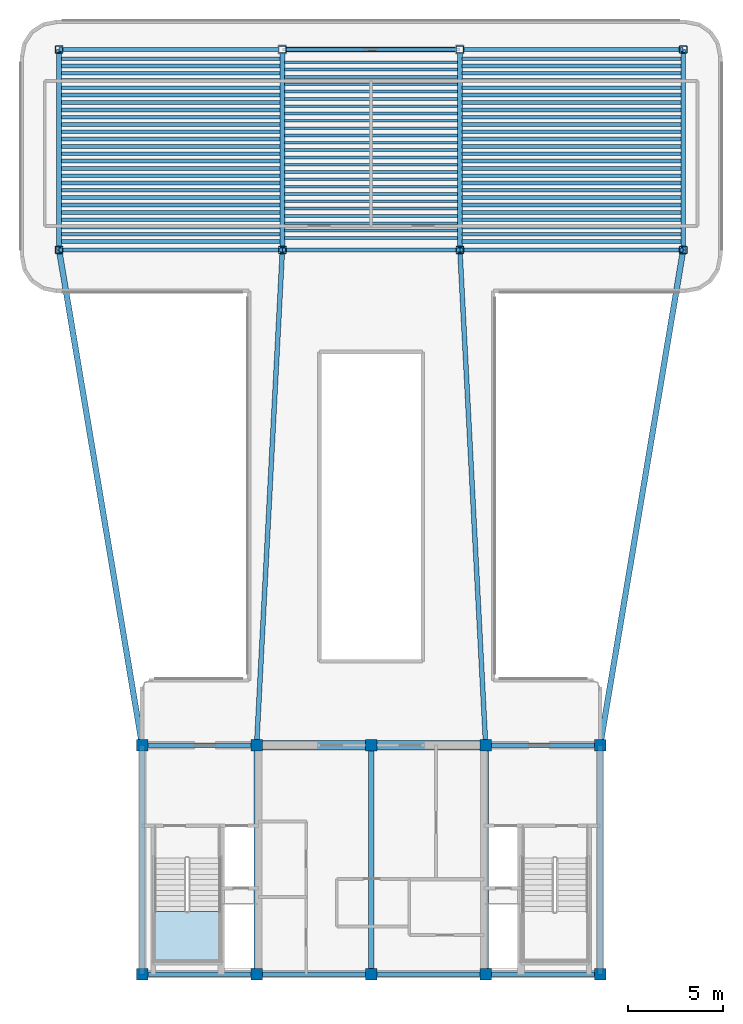
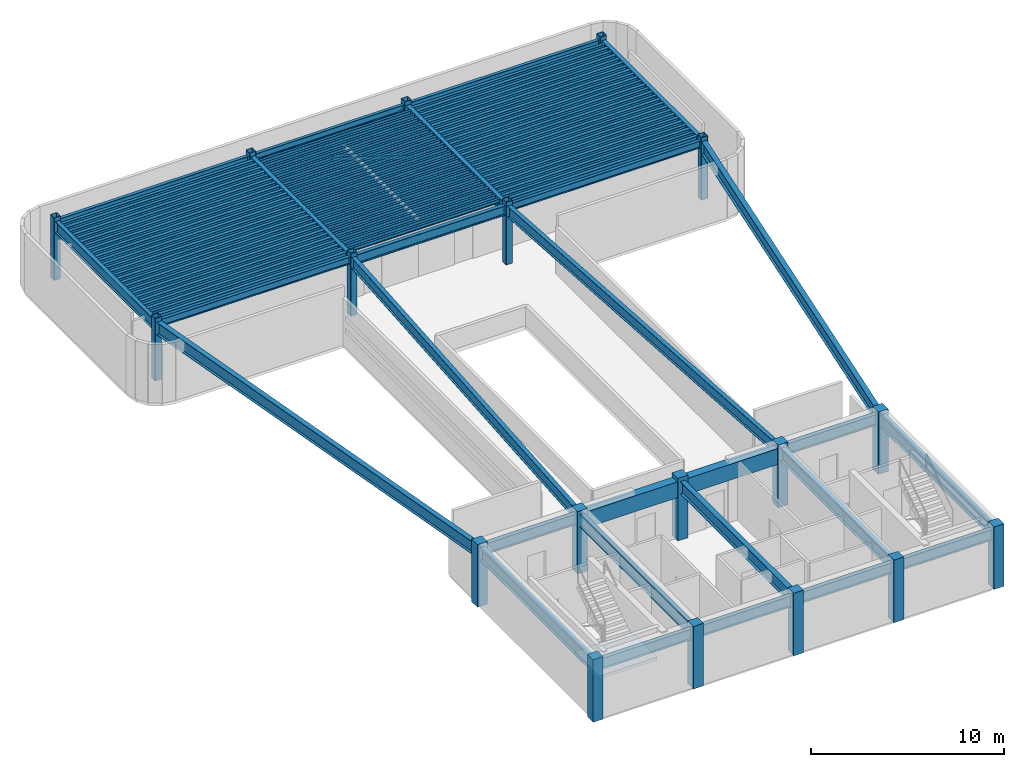
# One storey, part 1 of 6: 103 beams, 18 columns, 3 members, 1 slab, 1 element without a shape of its own.
"""IFC4 building model written with IfcOpenShell, lengths in metres."""

from ifc_helpers import new_model, si_unit, direction, frame, origin, origin_2d, place, context, subcontext, project, spatial, polyline, rectangle, hollow_rectangle, i_section, outline, extrude, source, transform, mapped, material, layer, layer_set, material_profile, profile_set, type_object, element, aggregate, save


model = new_model("IFC4")

# Units and contexts
model_context = context("Model", 3, precision=1e-05, world=origin(), true_north=direction((0.0, 1.0)))
body_context = subcontext(model_context, "Body", "Model", "MODEL_VIEW")
ifc_project = project(units=[si_unit("LENGTHUNIT", "METRE"), si_unit("AREAUNIT", "SQUARE_METRE"), si_unit("VOLUMEUNIT", "CUBIC_METRE"), si_unit("PLANEANGLEUNIT", "RADIAN"), si_unit("MASSUNIT", "GRAM", prefix="KILO")], contexts=[model_context])

# Site, building, storey
site_placement = place(None, origin())
site = spatial("IfcSite", under=ifc_project, at=site_placement, CompositionType="ELEMENT")
building_placement = place(site_placement, origin())
building = spatial("IfcBuilding", under=site, at=building_placement, Name="Brelvock Crest Care Tower", CompositionType="ELEMENT")
storey_placement = place(building_placement, frame((0.0, 0.0, 299.8798828125)))
storey = spatial("IfcBuildingStorey", under=building, at=storey_placement, Name="L76", CompositionType="ELEMENT", Elevation=299.8798828125)

# Columns
ifc_material_1 = material(Name="Concrete S65 (65 MPa)", Category="concrete")
ifc_material_profile_1 = material_profile(ifc_material_1, rectangle(XDim=0.60009765625, YDim=0.60009765625, at=origin_2d()), Name="RC600x600")
ifc_profile_set_1 = profile_set([ifc_material_profile_1], Name="Concrete S65 (65 MPa)")
column_type_1 = type_object("IfcColumnType", Name="COL-RC4", PredefinedType="COLUMN", material=ifc_profile_set_1)
shared_shape_1 = source(origin(), body_context, "Body", "SweptSolid", [
    extrude(rectangle(XDim=0.60009765625, YDim=0.60009765625, at=origin_2d()), origin(), (0.0, 0.0, 1.0), 3.960205078125),
])
for number, where, z_axis, x_axis, name in (
    (1, (24.0, 6.0, 0.0), (0.0, 0.0, 1.0), (1.0, 0.0, 0.0), "L76 Core Column CC-01"),
    (2, (30.0, 6.0, 0.0), (0.0, 0.0, 1.0), (1.0, 0.0, 0.0), "L76 Core Column CC-02"),
    (3, (36.0, 6.0, 0.0), (0.0, 0.0, 1.0), (1.0, 0.0, 0.0), "L76 Core Column CC-03"),
    (4, (42.0, 6.0, 0.0), (0.0, 0.0, 1.0), (1.0, 0.0, 0.0), "L76 Core Column CC-04"),
    (5, (48.0, 6.0, 0.0), (0.0, 0.0, 1.0), (1.0, 0.0, 0.0), "L76 Core Column CC-05"),
    (6, (24.0, 18.0, 0.0), (0.0, 0.0, 1.0), (1.0, 0.0, 0.0), "L76 Core Column CC-06"),
    (7, (30.0, 18.0, 0.0), (0.0, 0.0, 1.0), (1.0, 0.0, 0.0), "L76 Core Column CC-07"),
    (8, (36.0, 18.0, 0.0), (0.0, 0.0, 1.0), (1.0, 0.0, 0.0), "L76 Core Column CC-08"),
    (9, (42.0, 18.0, 0.0), (0.0, 0.0, 1.0), (1.0, 0.0, 0.0), "L76 Core Column CC-09"),
    (10, (48.0, 18.0, 0.0), (0.0, 0.0, 1.0), (1.0, 0.0, 0.0), "L76 Core Column CC-10"),
):
    element("IfcColumn", number, at=place(storey_placement, frame(where, z_axis=z_axis, x_axis=x_axis)), inside=storey, type_object=column_type_1, Name=name, PredefinedType="COLUMN", context=body_context, shape_type="MappedRepresentation", body=[
        mapped(shared_shape_1, transform((0.0, 0.0, 0.0), x_axis=(1.0, 0.0, 0.0), y_axis=(0.0, 1.0, 0.0), z_axis=(0.0, 0.0, 1.0), scale=1.0)),
    ])
ifc_material_2 = material(Name="Steel Grade 350", Category="steel")
ifc_material_profile_2 = material_profile(ifc_material_2, hollow_rectangle(XDim=0.39990234375, YDim=0.39990234375, WallThickness=0.02001953125, OuterFilletRadius=0.0400390625, at=origin_2d()), Name="SHS400x400x20.0")
ifc_profile_set_2 = profile_set([ifc_material_profile_2], Name="Steel Grade 350")
column_type_2 = type_object("IfcColumnType", Name="COL-CR1", PredefinedType="COLUMN", material=ifc_profile_set_2)
shared_shape_2 = source(origin(), body_context, "Body", "SweptSolid", [
    extrude(hollow_rectangle(XDim=0.39990234375, YDim=0.39990234375, WallThickness=0.02001953125, OuterFilletRadius=0.0400390625, at=origin_2d()), origin(), (0.0, 0.0, 1.0), 3.960205078125),
])
for number, where, z_axis, x_axis, name in (
    (11, (19.64990234375, 43.949951171875, 0.0), (0.0, 0.0, 1.0), (1.0, 0.0, 0.0), "L76 Tower Column M1"),
    (12, (19.64990234375, 54.449951171875, 0.0), (0.0, 0.0, 1.0), (1.0, 0.0, 0.0), "L76 Tower Column M2"),
    (13, (52.35009765625, 43.949951171875, 0.0), (0.0, 0.0, 1.0), (1.0, 0.0, 0.0), "L76 Tower Column M3"),
    (14, (52.35009765625, 54.449951171875, 0.0), (0.0, 0.0, 1.0), (1.0, 0.0, 0.0), "L76 Tower Column M4"),
    (15, (31.35009765625, 43.949951171875, 0.0), (0.0, 0.0, 1.0), (1.0, 0.0, 0.0), "L76 Tower Column M5"),
    (16, (40.64990234375, 43.949951171875, 0.0), (0.0, 0.0, 1.0), (1.0, 0.0, 0.0), "L76 Tower Column M6"),
    (17, (31.35009765625, 54.449951171875, 0.0), (0.0, 0.0, 1.0), (1.0, 0.0, 0.0), "L76 Tower Column M7"),
    (18, (40.64990234375, 54.449951171875, 0.0), (0.0, 0.0, 1.0), (1.0, 0.0, 0.0), "L76 Tower Column M8"),
):
    element("IfcColumn", number, at=place(storey_placement, frame(where, z_axis=z_axis, x_axis=x_axis)), inside=storey, type_object=column_type_2, Name=name, PredefinedType="COLUMN", context=body_context, shape_type="MappedRepresentation", body=[
        mapped(shared_shape_2, transform((0.0, 0.0, 0.0), x_axis=(1.0, 0.0, 0.0), y_axis=(0.0, 1.0, 0.0), z_axis=(0.0, 0.0, 1.0), scale=1.0)),
    ])

# Beams
ifc_material_profile_3 = material_profile(ifc_material_2, i_section(OverallWidth=0.25, OverallDepth=0.699951171875, WebThickness=0.011962890625, FlangeThickness=0.02001953125, at=origin_2d()), Name="700WB150")
ifc_profile_set_3 = profile_set([ifc_material_profile_3], Name="Steel Grade 350")
beam_type_1 = type_object("IfcBeamType", Name="BM-G4", PredefinedType="BEAM", material=ifc_profile_set_3)
shared_shape_3 = source(origin(), body_context, "Body", "SweptSolid", [
    extrude(i_section(OverallWidth=0.25, OverallDepth=0.699951171875, WebThickness=0.011962890625, FlangeThickness=0.02001953125, at=origin_2d()), origin(), (0.0, 0.0, 1.0), 6.0),
])
for number, where, z_axis, x_axis, name in (
    (19, (24.0, 6.0, 3.360107421875), (1.0, 0.0, 0.0), (0.0, 1.0, 0.0), "BM-CORES-L76-1"),
    (20, (24.0, 18.0, 3.360107421875), (1.0, 0.0, 0.0), (0.0, 1.0, 0.0), "BM-COREN-L76-1"),
    (21, (30.0, 6.0, 3.360107421875), (1.0, 0.0, 0.0), (0.0, 1.0, 0.0), "BM-CORES-L76-2"),
    (22, (36.0, 6.0, 3.360107421875), (1.0, 0.0, 0.0), (0.0, 1.0, 0.0), "BM-CORES-L76-3"),
    (23, (42.0, 6.0, 3.360107421875), (1.0, 0.0, 0.0), (0.0, 1.0, 0.0), "BM-CORES-L76-4"),
    (24, (42.0, 18.0, 3.360107421875), (1.0, 0.0, 0.0), (0.0, 1.0, 0.0), "BM-COREN-L76-4"),
):
    element("IfcBeam", number, at=place(storey_placement, frame(where, z_axis=z_axis, x_axis=x_axis)), inside=storey, type_object=beam_type_1, Name=name, PredefinedType="BEAM", context=body_context, shape_type="MappedRepresentation", body=[
        mapped(shared_shape_3, transform((0.0, 0.0, 0.0), x_axis=(1.0, 0.0, 0.0), y_axis=(0.0, 1.0, 0.0), z_axis=(0.0, 0.0, 1.0), scale=1.0)),
    ])
ifc_material_profile_4 = material_profile(ifc_material_2, i_section(OverallWidth=0.300048828125, OverallDepth=0.800048828125, WebThickness=0.013916015625, FlangeThickness=0.02197265625, at=origin_2d()), Name="800WB192")
ifc_profile_set_4 = profile_set([ifc_material_profile_4], Name="Steel Grade 350")
beam_type_2 = type_object("IfcBeamType", Name="BM-G5", PredefinedType="BEAM", material=ifc_profile_set_4)
shared_shape_4 = source(origin(), body_context, "Body", "SweptSolid", [
    extrude(i_section(OverallWidth=0.300048828125, OverallDepth=0.800048828125, WebThickness=0.013916015625, FlangeThickness=0.02197265625, at=origin_2d()), origin(), (0.0, 0.0, 1.0), 12.0),
])
for number, where, z_axis, x_axis, name in (
    (25, (24.0, 6.0, 3.31005859375), (0.0, 1.0, 0.0), (-1.0, 0.0, 0.0), "BM-COREX-L76-1"),
    (26, (30.0, 6.0, 3.31005859375), (0.0, 1.0, 0.0), (-1.0, 0.0, 0.0), "BM-COREX-L76-2"),
    (27, (36.0, 6.0, 3.31005859375), (0.0, 1.0, 0.0), (-1.0, 0.0, 0.0), "BM-COREX-L76-3"),
    (28, (42.0, 6.0, 3.31005859375), (0.0, 1.0, 0.0), (-1.0, 0.0, 0.0), "BM-COREX-L76-4"),
    (29, (48.0, 6.0, 3.31005859375), (0.0, 1.0, 0.0), (-1.0, 0.0, 0.0), "BM-COREX-L76-5"),
):
    element("IfcBeam", number, at=place(storey_placement, frame(where, z_axis=z_axis, x_axis=x_axis)), inside=storey, type_object=beam_type_2, Name=name, PredefinedType="BEAM", context=body_context, shape_type="MappedRepresentation", body=[
        mapped(shared_shape_4, transform((0.0, 0.0, 0.0), x_axis=(1.0, 0.0, 0.0), y_axis=(0.0, 1.0, 0.0), z_axis=(0.0, 0.0, 1.0), scale=1.0)),
    ])
shared_shape_5 = source(origin(), body_context, "Body", "SweptSolid", [
    extrude(i_section(OverallWidth=0.25, OverallDepth=0.699951171875, WebThickness=0.011962890625, FlangeThickness=0.02001953125, at=origin_2d()), origin(), (0.0, 0.0, 1.0), 10.5),
])
for number, where, z_axis, x_axis, name in (
    (30, (19.64990234375, 43.949951171875, 3.360107421875), (0.0, 1.0, 0.0), (-1.0, 0.0, 0.0), "BM-TWR-L76-01"),
    (31, (52.35009765625, 43.949951171875, 3.360107421875), (0.0, 1.0, 0.0), (-1.0, 0.0, 0.0), "BM-TWR-L76-02"),
    (32, (31.35009765625, 43.949951171875, 3.360107421875), (0.0, 1.0, 0.0), (-1.0, 0.0, 0.0), "BM-TWR-L76-09"),
    (33, (40.64990234375, 43.949951171875, 3.360107421875), (0.0, 1.0, 0.0), (-1.0, 0.0, 0.0), "BM-TWR-L76-10"),
):
    element("IfcBeam", number, at=place(storey_placement, frame(where, z_axis=z_axis, x_axis=x_axis)), inside=storey, type_object=beam_type_1, Name=name, PredefinedType="BEAM", context=body_context, shape_type="MappedRepresentation", body=[
        mapped(shared_shape_5, transform((0.0, 0.0, 0.0), x_axis=(1.0, 0.0, 0.0), y_axis=(0.0, 1.0, 0.0), z_axis=(0.0, 0.0, 1.0), scale=1.0)),
    ])
ifc_material_profile_5 = material_profile(ifc_material_2, i_section(OverallWidth=0.22900390625, OverallDepth=0.612060546875, WebThickness=0.011962890625, FlangeThickness=0.01953125, FilletRadius=0.013916015625, at=origin_2d()), Name="610UB125")
ifc_profile_set_5 = profile_set([ifc_material_profile_5], Name="Steel Grade 350")
beam_type_3 = type_object("IfcBeamType", Name="BM-G1", PredefinedType="BEAM", material=ifc_profile_set_5)
shared_shape_6 = source(origin(), body_context, "Body", "SweptSolid", [
    extrude(i_section(OverallWidth=0.22900390625, OverallDepth=0.612060546875, WebThickness=0.011962890625, FlangeThickness=0.01953125, FilletRadius=0.013916015625, at=origin_2d()), origin(), (0.0, 0.0, 1.0), 9.2998046875),
])
beam_1_placement = place(storey_placement, frame((31.35009765625, 43.949951171875, 3.404052734375), z_axis=(1.0, 0.0, 0.0), x_axis=(0.0, 1.0, 0.0)))
element("IfcBeam", 34, at=beam_1_placement, inside=storey, type_object=beam_type_3, Name="BM-TWR-L76-05", PredefinedType="BEAM", context=body_context, shape_type="MappedRepresentation", body=[
    mapped(shared_shape_6, transform((0.0, 0.0, 0.0), x_axis=(1.0, 0.0, 0.0), y_axis=(0.0, 1.0, 0.0), z_axis=(0.0, 0.0, 1.0), scale=1.0)),
])
ifc_material_profile_6 = material_profile(ifc_material_2, i_section(OverallWidth=0.177978515625, OverallDepth=0.406005859375, WebThickness=0.0078125, FlangeThickness=0.0126953125, FilletRadius=0.011474609375, at=origin_2d()), Name="410UB59.7")
ifc_profile_set_6 = profile_set([ifc_material_profile_6], Name="Steel Grade 350")
beam_type_4 = type_object("IfcBeamType", Name="BM-SP1", PredefinedType="SPANDREL", material=ifc_profile_set_6)
shared_shape_7 = source(origin(), body_context, "Body", "SweptSolid", [
    extrude(i_section(OverallWidth=0.177978515625, OverallDepth=0.406005859375, WebThickness=0.0078125, FlangeThickness=0.0126953125, FilletRadius=0.011474609375, at=origin_2d()), origin(), (0.0, 0.0, 1.0), 9.2998046875),
])
beam_2_placement = place(storey_placement, frame((31.35009765625, 54.449951171875, 3.507080078125), z_axis=(1.0, 0.0, 0.0), x_axis=(0.0, 1.0, 0.0)))
element("IfcBeam", 35, at=beam_2_placement, inside=storey, type_object=beam_type_4, Name="BM-TWR-L76-08", PredefinedType="SPANDREL", context=body_context, shape_type="MappedRepresentation", body=[
    mapped(shared_shape_7, transform((0.0, 0.0, 0.0), x_axis=(1.0, 0.0, 0.0), y_axis=(0.0, 1.0, 0.0), z_axis=(0.0, 0.0, 1.0), scale=1.0)),
])
ifc_material_profile_7 = material_profile(ifc_material_2, i_section(OverallWidth=0.14599609375, OverallDepth=0.256103515625, WebThickness=0.00634765625, FlangeThickness=0.010986328125, FilletRadius=0.0087890625, at=origin_2d()), Name="250UB37.3")
ifc_profile_set_7 = profile_set([ifc_material_profile_7], Name="Steel Grade 350")
beam_type_5 = type_object("IfcBeamType", Name="BM-J3", PredefinedType="JOIST", material=ifc_profile_set_7)
shared_shape_8 = source(origin(), body_context, "Body", "SweptSolid", [
    extrude(i_section(OverallWidth=0.14599609375, OverallDepth=0.256103515625, WebThickness=0.00634765625, FlangeThickness=0.010986328125, FilletRadius=0.0087890625, at=origin_2d()), origin(), (0.0, 0.0, 1.0), 9.06982421875),
])
for number, where, z_axis, x_axis, name in (
    (36, (31.465087890625, 44.58251953125, 3.58203125), (1.0, 0.0, 0.0), (0.0, 1.0, 0.0), "BM-JH-L76-1"),
    (37, (31.465087890625, 44.9658203125, 3.58203125), (1.0, 0.0, 0.0), (0.0, 1.0, 0.0), "BM-JH-L76-2"),
    (38, (31.465087890625, 45.34912109375, 3.58203125), (1.0, 0.0, 0.0), (0.0, 1.0, 0.0), "BM-JH-L76-3"),
    (39, (31.465087890625, 45.732421875, 3.58203125), (1.0, 0.0, 0.0), (0.0, 1.0, 0.0), "BM-JH-L76-4"),
    (40, (31.465087890625, 46.115478515625, 3.58203125), (1.0, 0.0, 0.0), (0.0, 1.0, 0.0), "BM-JH-L76-5"),
    (41, (31.465087890625, 46.498779296875, 3.58203125), (1.0, 0.0, 0.0), (0.0, 1.0, 0.0), "BM-JH-L76-6"),
    (42, (31.465087890625, 46.882080078125, 3.58203125), (1.0, 0.0, 0.0), (0.0, 1.0, 0.0), "BM-JH-L76-7"),
    (43, (31.465087890625, 47.265380859375, 3.58203125), (1.0, 0.0, 0.0), (0.0, 1.0, 0.0), "BM-JH-L76-8"),
    (44, (31.465087890625, 47.648681640625, 3.58203125), (1.0, 0.0, 0.0), (0.0, 1.0, 0.0), "BM-JH-L76-9"),
    (45, (31.465087890625, 48.031982421875, 3.58203125), (1.0, 0.0, 0.0), (0.0, 1.0, 0.0), "BM-JH-L76-10"),
    (46, (31.465087890625, 48.4150390625, 3.58203125), (1.0, 0.0, 0.0), (0.0, 1.0, 0.0), "BM-JH-L76-11"),
    (47, (31.465087890625, 48.79833984375, 3.58203125), (1.0, 0.0, 0.0), (0.0, 1.0, 0.0), "BM-JH-L76-12"),
    (48, (31.465087890625, 49.181640625, 3.58203125), (1.0, 0.0, 0.0), (0.0, 1.0, 0.0), "BM-JH-L76-13"),
    (49, (31.465087890625, 49.564697265625, 3.58203125), (1.0, 0.0, 0.0), (0.0, 1.0, 0.0), "BM-JH-L76-14"),
    (50, (31.465087890625, 49.947998046875, 3.58203125), (1.0, 0.0, 0.0), (0.0, 1.0, 0.0), "BM-JH-L76-15"),
    (51, (31.465087890625, 50.331298828125, 3.58203125), (1.0, 0.0, 0.0), (0.0, 1.0, 0.0), "BM-JH-L76-16"),
    (52, (31.465087890625, 50.714599609375, 3.58203125), (1.0, 0.0, 0.0), (0.0, 1.0, 0.0), "BM-JH-L76-17"),
    (53, (31.465087890625, 51.097900390625, 3.58203125), (1.0, 0.0, 0.0), (0.0, 1.0, 0.0), "BM-JH-L76-18"),
    (54, (31.465087890625, 51.481201171875, 3.58203125), (1.0, 0.0, 0.0), (0.0, 1.0, 0.0), "BM-JH-L76-19"),
    (55, (31.465087890625, 51.864501953125, 3.58203125), (1.0, 0.0, 0.0), (0.0, 1.0, 0.0), "BM-JH-L76-20"),
    (56, (31.465087890625, 52.24755859375, 3.58203125), (1.0, 0.0, 0.0), (0.0, 1.0, 0.0), "BM-JH-L76-21"),
    (57, (31.465087890625, 52.630859375, 3.58203125), (1.0, 0.0, 0.0), (0.0, 1.0, 0.0), "BM-JH-L76-22"),
    (58, (31.465087890625, 53.01416015625, 3.58203125), (1.0, 0.0, 0.0), (0.0, 1.0, 0.0), "BM-JH-L76-23"),
    (59, (31.465087890625, 53.3974609375, 3.58203125), (1.0, 0.0, 0.0), (0.0, 1.0, 0.0), "BM-JH-L76-24"),
    (60, (31.465087890625, 53.780517578125, 3.58203125), (1.0, 0.0, 0.0), (0.0, 1.0, 0.0), "BM-JH-L76-25"),
):
    element("IfcBeam", number, at=place(storey_placement, frame(where, z_axis=z_axis, x_axis=x_axis)), inside=storey, type_object=beam_type_5, Name=name, PredefinedType="JOIST", context=body_context, shape_type="MappedRepresentation", body=[
        mapped(shared_shape_8, transform((0.0, 0.0, 0.0), x_axis=(1.0, 0.0, 0.0), y_axis=(0.0, 1.0, 0.0), z_axis=(0.0, 0.0, 1.0), scale=1.0)),
    ])
ifc_material_profile_8 = material_profile(ifc_material_1, rectangle(XDim=0.5, YDim=1.0, at=origin_2d()), Name="RC500x1000")
ifc_profile_set_8 = profile_set([ifc_material_profile_8], Name="Concrete S65 (65 MPa)")
beam_type_6 = type_object("IfcBeamType", Name="BM-LN2", PredefinedType="LINTEL", material=ifc_profile_set_8)
shared_shape_9 = source(origin(), body_context, "Body", "SweptSolid", [
    extrude(rectangle(XDim=0.5, YDim=1.0, at=origin_2d()), origin(), (0.0, 0.0, 1.0), 12.0),
])
beam_3_placement = place(storey_placement, frame((30.0, 18.0, 3.210205078125), z_axis=(1.0, 0.0, 0.0), x_axis=(0.0, 1.0, 0.0)))
element("IfcBeam", 61, at=beam_3_placement, inside=storey, type_object=beam_type_6, Name="L76 Core Coupling Lintel Beam", PredefinedType="LINTEL", context=body_context, shape_type="MappedRepresentation", body=[
    mapped(shared_shape_9, transform((0.0, 0.0, 0.0), x_axis=(1.0, 0.0, 0.0), y_axis=(0.0, 1.0, 0.0), z_axis=(0.0, 0.0, 1.0), scale=1.0)),
])
ifc_material_profile_9 = material_profile(ifc_material_2, i_section(OverallWidth=0.19091796875, OverallDepth=0.4599609375, WebThickness=0.010009765625, FlangeThickness=0.01611328125, FilletRadius=0.011474609375, at=origin_2d()), Name="460UB82.1")
ifc_profile_set_9 = profile_set([ifc_material_profile_9], Name="Steel Grade 350")
beam_type_7 = type_object("IfcBeamType", Name="BM-G3", PredefinedType="BEAM", material=ifc_profile_set_9)
shared_shape_10 = source(origin(), body_context, "Body", "SweptSolid", [
    extrude(i_section(OverallWidth=0.19091796875, OverallDepth=0.4599609375, WebThickness=0.010009765625, FlangeThickness=0.01611328125, FilletRadius=0.011474609375, at=origin_2d()), origin(), (0.0, 0.0, 1.0), 11.47021484375),
])
for number, where, z_axis, x_axis, name in (
    (62, (19.764892578125, 44.7744140625, 3.480224609375), (1.0, 0.0, 0.0), (0.0, 1.0, 0.0), "BM-JW-L76-2"),
    (63, (40.764892578125, 44.7744140625, 3.480224609375), (1.0, 0.0, 0.0), (0.0, 1.0, 0.0), "BM-JE-L76-2"),
    (64, (19.764892578125, 45.540771484375, 3.480224609375), (1.0, 0.0, 0.0), (0.0, 1.0, 0.0), "BM-JW-L76-4"),
    (65, (40.764892578125, 45.540771484375, 3.480224609375), (1.0, 0.0, 0.0), (0.0, 1.0, 0.0), "BM-JE-L76-4"),
    (66, (19.764892578125, 46.307373046875, 3.480224609375), (1.0, 0.0, 0.0), (0.0, 1.0, 0.0), "BM-JW-L76-6"),
    (67, (40.764892578125, 46.307373046875, 3.480224609375), (1.0, 0.0, 0.0), (0.0, 1.0, 0.0), "BM-JE-L76-6"),
    (68, (19.764892578125, 47.07373046875, 3.480224609375), (1.0, 0.0, 0.0), (0.0, 1.0, 0.0), "BM-JW-L76-8"),
    (69, (40.764892578125, 47.07373046875, 3.480224609375), (1.0, 0.0, 0.0), (0.0, 1.0, 0.0), "BM-JE-L76-8"),
    (70, (19.764892578125, 47.84033203125, 3.480224609375), (1.0, 0.0, 0.0), (0.0, 1.0, 0.0), "BM-JW-L76-10"),
    (71, (40.764892578125, 47.84033203125, 3.480224609375), (1.0, 0.0, 0.0), (0.0, 1.0, 0.0), "BM-JE-L76-10"),
    (72, (19.764892578125, 48.606689453125, 3.480224609375), (1.0, 0.0, 0.0), (0.0, 1.0, 0.0), "BM-JW-L76-12"),
    (73, (40.764892578125, 48.606689453125, 3.480224609375), (1.0, 0.0, 0.0), (0.0, 1.0, 0.0), "BM-JE-L76-12"),
    (74, (19.764892578125, 49.373291015625, 3.480224609375), (1.0, 0.0, 0.0), (0.0, 1.0, 0.0), "BM-JW-L76-14"),
    (75, (40.764892578125, 49.373291015625, 3.480224609375), (1.0, 0.0, 0.0), (0.0, 1.0, 0.0), "BM-JE-L76-14"),
    (76, (19.764892578125, 50.139892578125, 3.480224609375), (1.0, 0.0, 0.0), (0.0, 1.0, 0.0), "BM-JW-L76-16"),
    (77, (40.764892578125, 50.139892578125, 3.480224609375), (1.0, 0.0, 0.0), (0.0, 1.0, 0.0), "BM-JE-L76-16"),
    (78, (19.764892578125, 50.90625, 3.480224609375), (1.0, 0.0, 0.0), (0.0, 1.0, 0.0), "BM-JW-L76-18"),
    (79, (40.764892578125, 50.90625, 3.480224609375), (1.0, 0.0, 0.0), (0.0, 1.0, 0.0), "BM-JE-L76-18"),
    (80, (19.764892578125, 51.6728515625, 3.480224609375), (1.0, 0.0, 0.0), (0.0, 1.0, 0.0), "BM-JW-L76-20"),
    (81, (40.764892578125, 51.6728515625, 3.480224609375), (1.0, 0.0, 0.0), (0.0, 1.0, 0.0), "BM-JE-L76-20"),
    (82, (19.764892578125, 52.439208984375, 3.480224609375), (1.0, 0.0, 0.0), (0.0, 1.0, 0.0), "BM-JW-L76-22"),
    (83, (40.764892578125, 52.439208984375, 3.480224609375), (1.0, 0.0, 0.0), (0.0, 1.0, 0.0), "BM-JE-L76-22"),
    (84, (19.764892578125, 53.205810546875, 3.480224609375), (1.0, 0.0, 0.0), (0.0, 1.0, 0.0), "BM-JW-L76-24"),
    (85, (40.764892578125, 53.205810546875, 3.480224609375), (1.0, 0.0, 0.0), (0.0, 1.0, 0.0), "BM-JE-L76-24"),
    (86, (19.764892578125, 53.972412109375, 3.480224609375), (1.0, 0.0, 0.0), (0.0, 1.0, 0.0), "BM-JW-L76-26"),
    (87, (40.764892578125, 53.972412109375, 3.480224609375), (1.0, 0.0, 0.0), (0.0, 1.0, 0.0), "BM-JE-L76-26"),
):
    element("IfcBeam", number, at=place(storey_placement, frame(where, z_axis=z_axis, x_axis=x_axis)), inside=storey, type_object=beam_type_7, Name=name, PredefinedType="BEAM", context=body_context, shape_type="MappedRepresentation", body=[
        mapped(shared_shape_10, transform((0.0, 0.0, 0.0), x_axis=(1.0, 0.0, 0.0), y_axis=(0.0, 1.0, 0.0), z_axis=(0.0, 0.0, 1.0), scale=1.0)),
    ])
ifc_material_profile_10 = material_profile(ifc_material_2, i_section(OverallWidth=0.208984375, OverallDepth=0.532958984375, WebThickness=0.01025390625, FlangeThickness=0.015625, FilletRadius=0.013916015625, at=origin_2d()), Name="530UB92.4")
ifc_profile_set_10 = profile_set([ifc_material_profile_10], Name="Steel Grade 350")
beam_type_8 = type_object("IfcBeamType", Name="BM-G2", PredefinedType="BEAM", material=ifc_profile_set_10)
shared_shape_11 = source(origin(), body_context, "Body", "SweptSolid", [
    extrude(i_section(OverallWidth=0.208984375, OverallDepth=0.532958984375, WebThickness=0.01025390625, FlangeThickness=0.015625, FilletRadius=0.013916015625, at=origin_2d()), origin(), (0.0, 0.0, 1.0), 11.47021484375),
])
for number, where, z_axis, x_axis, name in (
    (88, (19.764892578125, 44.39111328125, 3.443603515625), (1.0, 0.0, 0.0), (0.0, 1.0, 0.0), "BM-JW-L76-1"),
    (89, (40.764892578125, 44.39111328125, 3.443603515625), (1.0, 0.0, 0.0), (0.0, 1.0, 0.0), "BM-JE-L76-1"),
    (90, (19.764892578125, 45.157470703125, 3.443603515625), (1.0, 0.0, 0.0), (0.0, 1.0, 0.0), "BM-JW-L76-3"),
    (91, (40.764892578125, 45.157470703125, 3.443603515625), (1.0, 0.0, 0.0), (0.0, 1.0, 0.0), "BM-JE-L76-3"),
    (92, (19.764892578125, 45.924072265625, 3.443603515625), (1.0, 0.0, 0.0), (0.0, 1.0, 0.0), "BM-JW-L76-5"),
    (93, (40.764892578125, 45.924072265625, 3.443603515625), (1.0, 0.0, 0.0), (0.0, 1.0, 0.0), "BM-JE-L76-5"),
    (94, (19.764892578125, 46.6904296875, 3.443603515625), (1.0, 0.0, 0.0), (0.0, 1.0, 0.0), "BM-JW-L76-7"),
    (95, (40.764892578125, 46.6904296875, 3.443603515625), (1.0, 0.0, 0.0), (0.0, 1.0, 0.0), "BM-JE-L76-7"),
    (96, (19.764892578125, 47.45703125, 3.443603515625), (1.0, 0.0, 0.0), (0.0, 1.0, 0.0), "BM-JW-L76-9"),
    (97, (40.764892578125, 47.45703125, 3.443603515625), (1.0, 0.0, 0.0), (0.0, 1.0, 0.0), "BM-JE-L76-9"),
    (98, (19.764892578125, 48.223388671875, 3.443603515625), (1.0, 0.0, 0.0), (0.0, 1.0, 0.0), "BM-JW-L76-11"),
    (99, (40.764892578125, 48.223388671875, 3.443603515625), (1.0, 0.0, 0.0), (0.0, 1.0, 0.0), "BM-JE-L76-11"),
    (100, (19.764892578125, 48.989990234375, 3.443603515625), (1.0, 0.0, 0.0), (0.0, 1.0, 0.0), "BM-JW-L76-13"),
    (101, (40.764892578125, 48.989990234375, 3.443603515625), (1.0, 0.0, 0.0), (0.0, 1.0, 0.0), "BM-JE-L76-13"),
    (102, (19.764892578125, 49.756591796875, 3.443603515625), (1.0, 0.0, 0.0), (0.0, 1.0, 0.0), "BM-JW-L76-15"),
    (103, (40.764892578125, 49.756591796875, 3.443603515625), (1.0, 0.0, 0.0), (0.0, 1.0, 0.0), "BM-JE-L76-15"),
    (104, (19.764892578125, 50.52294921875, 3.443603515625), (1.0, 0.0, 0.0), (0.0, 1.0, 0.0), "BM-JW-L76-17"),
    (105, (40.764892578125, 50.52294921875, 3.443603515625), (1.0, 0.0, 0.0), (0.0, 1.0, 0.0), "BM-JE-L76-17"),
    (106, (19.764892578125, 51.28955078125, 3.443603515625), (1.0, 0.0, 0.0), (0.0, 1.0, 0.0), "BM-JW-L76-19"),
    (107, (40.764892578125, 51.28955078125, 3.443603515625), (1.0, 0.0, 0.0), (0.0, 1.0, 0.0), "BM-JE-L76-19"),
    (108, (19.764892578125, 52.055908203125, 3.443603515625), (1.0, 0.0, 0.0), (0.0, 1.0, 0.0), "BM-JW-L76-21"),
    (109, (40.764892578125, 52.055908203125, 3.443603515625), (1.0, 0.0, 0.0), (0.0, 1.0, 0.0), "BM-JE-L76-21"),
    (110, (19.764892578125, 52.822509765625, 3.443603515625), (1.0, 0.0, 0.0), (0.0, 1.0, 0.0), "BM-JW-L76-23"),
    (111, (40.764892578125, 52.822509765625, 3.443603515625), (1.0, 0.0, 0.0), (0.0, 1.0, 0.0), "BM-JE-L76-23"),
    (112, (19.764892578125, 53.589111328125, 3.443603515625), (1.0, 0.0, 0.0), (0.0, 1.0, 0.0), "BM-JW-L76-25"),
    (113, (40.764892578125, 53.589111328125, 3.443603515625), (1.0, 0.0, 0.0), (0.0, 1.0, 0.0), "BM-JE-L76-25"),
):
    element("IfcBeam", number, at=place(storey_placement, frame(where, z_axis=z_axis, x_axis=x_axis)), inside=storey, type_object=beam_type_8, Name=name, PredefinedType="BEAM", context=body_context, shape_type="MappedRepresentation", body=[
        mapped(shared_shape_11, transform((0.0, 0.0, 0.0), x_axis=(1.0, 0.0, 0.0), y_axis=(0.0, 1.0, 0.0), z_axis=(0.0, 0.0, 1.0), scale=1.0)),
    ])
ifc_material_profile_11 = material_profile(ifc_material_2, i_section(OverallWidth=0.19091796875, OverallDepth=0.4599609375, WebThickness=0.010009765625, FlangeThickness=0.01611328125, FilletRadius=0.011474609375, at=origin_2d()), Name="460UB82.1")
ifc_profile_set_11 = profile_set([ifc_material_profile_11], Name="Steel Grade 350")
beam_type_9 = type_object("IfcBeamType", Name="BM-SP2", PredefinedType="SPANDREL", material=ifc_profile_set_11)
shared_shape_12 = source(origin(), body_context, "Body", "SweptSolid", [
    extrude(i_section(OverallWidth=0.19091796875, OverallDepth=0.4599609375, WebThickness=0.010009765625, FlangeThickness=0.01611328125, FilletRadius=0.011474609375, at=origin_2d()), origin(), (0.0, 0.0, 1.0), 11.7001953125),
])
for number, where, z_axis, x_axis, name in (
    (114, (19.64990234375, 43.949951171875, 3.480224609375), (1.0, 0.0, 0.0), (0.0, 1.0, 0.0), "BM-TWR-L76-03"),
    (115, (40.64990234375, 43.949951171875, 3.480224609375), (1.0, 0.0, 0.0), (0.0, 1.0, 0.0), "BM-TWR-L76-04"),
    (116, (19.64990234375, 54.449951171875, 3.480224609375), (1.0, 0.0, 0.0), (0.0, 1.0, 0.0), "BM-TWR-L76-06"),
    (117, (40.64990234375, 54.449951171875, 3.480224609375), (1.0, 0.0, 0.0), (0.0, 1.0, 0.0), "BM-TWR-L76-07"),
):
    element("IfcBeam", number, at=place(storey_placement, frame(where, z_axis=z_axis, x_axis=x_axis)), inside=storey, type_object=beam_type_9, Name=name, PredefinedType="SPANDREL", context=body_context, shape_type="MappedRepresentation", body=[
        mapped(shared_shape_12, transform((0.0, 0.0, 0.0), x_axis=(1.0, 0.0, 0.0), y_axis=(0.0, 1.0, 0.0), z_axis=(0.0, 0.0, 1.0), scale=1.0)),
    ])
shared_shape_13 = source(origin(), body_context, "Body", "SweptSolid", [
    extrude(i_section(OverallWidth=0.25, OverallDepth=0.699951171875, WebThickness=0.011962890625, FlangeThickness=0.02001953125, at=origin_2d()), origin(), (0.0, 0.0, 1.0), 25.985107421875),
])
for number, where, z_axis, x_axis, name in (
    (118, (30.0, 18.0, 3.360107421875), (0.051956711656, 0.998649337913, 0.0), (-0.998649337913, 0.051956711656, 0.0), "BM-THRW-L76"),
    (119, (42.0, 18.0, 3.360107421875), (-0.051956711656, 0.998649337913, 0.0), (-0.998649337913, -0.051956711656, 0.0), "BM-THRE-L76"),
):
    element("IfcBeam", number, at=place(storey_placement, frame(where, z_axis=z_axis, x_axis=x_axis)), inside=storey, type_object=beam_type_1, Name=name, PredefinedType="BEAM", context=body_context, shape_type="MappedRepresentation", body=[
        mapped(shared_shape_13, transform((0.0, 0.0, 0.0), x_axis=(1.0, 0.0, 0.0), y_axis=(0.0, 1.0, 0.0), z_axis=(0.0, 0.0, 1.0), scale=1.0)),
    ])
shared_shape_14 = source(origin(), body_context, "Body", "SweptSolid", [
    extrude(i_section(OverallWidth=0.300048828125, OverallDepth=0.800048828125, WebThickness=0.013916015625, FlangeThickness=0.02197265625, at=origin_2d()), origin(), (0.0, 0.0, 1.0), 26.31201171875),
])
for number, where, z_axis, x_axis, name in (
    (120, (24.0, 18.0, 3.31005859375), (-0.165327282709, 0.986238758918, 0.0), (-0.986238758918, -0.165327282709, 0.0), "BM-THRO-W-L76"),
    (121, (48.0, 18.0, 3.31005859375), (0.165327282709, 0.986238758918, 0.0), (-0.986238758918, 0.165327282709, 0.0), "BM-THRO-E-L76"),
):
    element("IfcBeam", number, at=place(storey_placement, frame(where, z_axis=z_axis, x_axis=x_axis)), inside=storey, type_object=beam_type_2, Name=name, PredefinedType="BEAM", context=body_context, shape_type="MappedRepresentation", body=[
        mapped(shared_shape_14, transform((0.0, 0.0, 0.0), x_axis=(1.0, 0.0, 0.0), y_axis=(0.0, 1.0, 0.0), z_axis=(0.0, 0.0, 1.0), scale=1.0)),
    ])

# Members
ifc_material_profile_12 = material_profile(ifc_material_2, hollow_rectangle(XDim=0.25, YDim=0.25, WallThickness=0.012451171875, OuterFilletRadius=0.02490234375, at=origin_2d()), Name="SHS250x250x12.5")
ifc_profile_set_12 = profile_set([ifc_material_profile_12], Name="Steel Grade 350")
member_type = type_object("IfcMemberType", Name="MEM-BR5", PredefinedType="BRACE", material=ifc_profile_set_12)
shared_shape_15 = source(origin(), body_context, "Body", "SweptSolid", [
    extrude(hollow_rectangle(XDim=0.25, YDim=0.25, WallThickness=0.012451171875, OuterFilletRadius=0.02490234375, at=origin_2d()), origin(), (0.0, 0.0, 1.0), 9.77490234375),
])
member_placement = place(storey_placement, frame((31.35009765625, 54.449951171875, 0.35009765625), z_axis=(0.951407076018, 0.0, 0.307935992865), x_axis=(0.0, 1.0, 0.0)))
element("IfcMember", 122, at=member_placement, inside=storey, type_object=member_type, Name="L76 Wind Portal Frame Brace X1", PredefinedType="BRACE", context=body_context, shape_type="MappedRepresentation", body=[
    mapped(shared_shape_15, transform((0.0, 0.0, 0.0), x_axis=(1.0, 0.0, 0.0), y_axis=(0.0, 1.0, 0.0), z_axis=(0.0, 0.0, 1.0), scale=1.0)),
])
shared_shape_16 = source(origin(), body_context, "Body", "SweptSolid", [
    extrude(hollow_rectangle(XDim=0.25, YDim=0.25, WallThickness=0.012451171875, OuterFilletRadius=0.02490234375, at=origin_2d()), origin(), (0.0, 0.0, 1.0), 4.69921875),
])
for number, where, z_axis, x_axis, name in (
    (123, (40.64990234375, 54.449951171875, 0.35009765625), (-0.951410949054, 0.0, 0.307924026377), (0.0, -1.0, 0.0), "L76 Wind Portal Split Brace X2A"),
    (124, (35.821044921875, 54.449951171875, 1.9130859375), (-0.951410949054, 0.0, 0.307924026377), (0.0, -1.0, 0.0), "L76 Wind Portal Split Brace X2B"),
):
    element("IfcMember", number, at=place(storey_placement, frame(where, z_axis=z_axis, x_axis=x_axis)), inside=storey, type_object=member_type, Name=name, PredefinedType="BRACE", context=body_context, shape_type="MappedRepresentation", body=[
        mapped(shared_shape_16, transform((0.0, 0.0, 0.0), x_axis=(1.0, 0.0, 0.0), y_axis=(0.0, 1.0, 0.0), z_axis=(0.0, 0.0, 1.0), scale=1.0)),
    ])

# Stair, slab
ifc_material_3 = material(Name="Concrete N40 (40 MPa)", Category="concrete")
stair_type = type_object("IfcStairType", Name="ST-CORE1", PredefinedType="HALF_TURN_STAIR", material=ifc_material_3)
stair_placement = place(storey_placement, origin())
stair = element("IfcStair", 125, at=stair_placement, inside=storey, type_object=stair_type, Name="L76 Fire-Isolated Core Stair ST-1", PredefinedType="HALF_TURN_STAIR")
ifc_layer = layer(ifc_material_3, 0.199951171875, Name="STL-1")
ifc_layer_set = layer_set([ifc_layer], Name="Concrete N40 (40 MPa)")
slab_type = type_object("IfcSlabType", Name="STL-1", PredefinedType="LANDING", material=ifc_layer_set)
slab_placement = place(storey_placement, frame((0.0, 0.0, 1.780029296875)))
slab = element("IfcSlab", 126, at=slab_placement, type_object=slab_type, Name="ST-1 landing 1", PredefinedType="LANDING", context=body_context, shape_type="SweptSolid", body=[
    extrude(outline(polyline([(24.6298828125, 9.280029296875), (24.6298828125, 6.699951171875), (28.110107421875, 6.699951171875), (28.110107421875, 9.280029296875), (24.6298828125, 9.280029296875)])), origin(), (0.0, 0.0, 1.0), 0.2001953125),
])
aggregate(stair, [slab])

save(model, "model.ifc")
